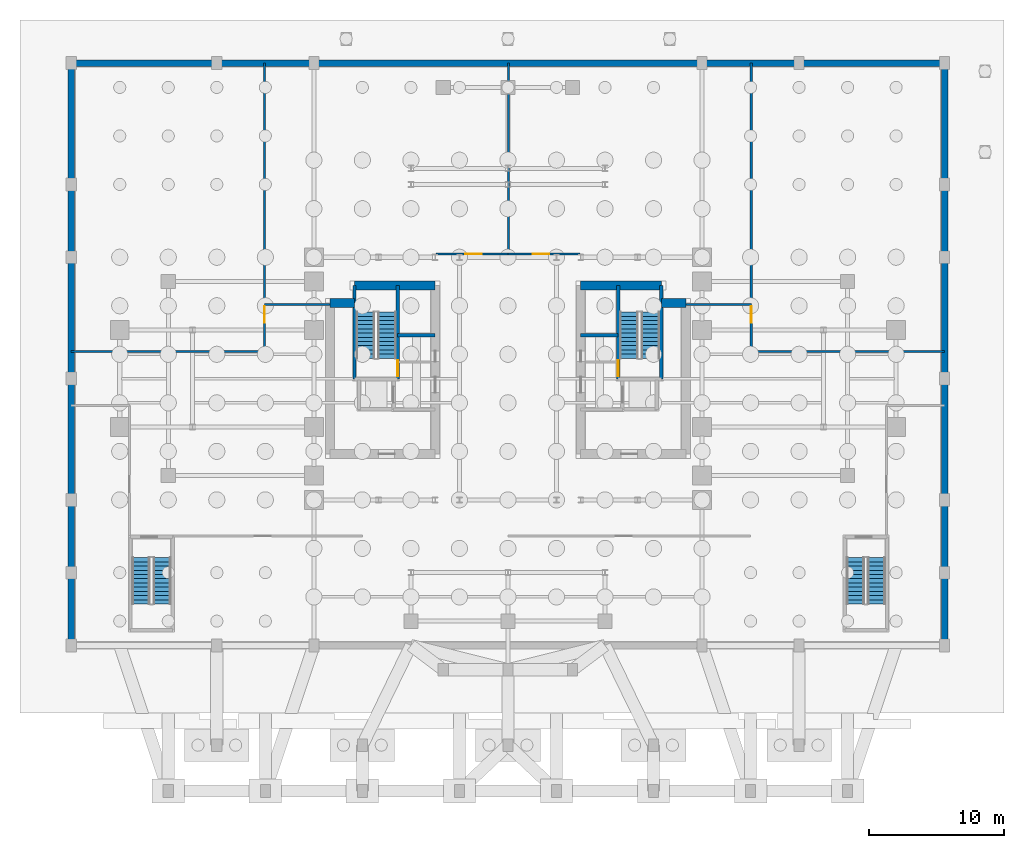
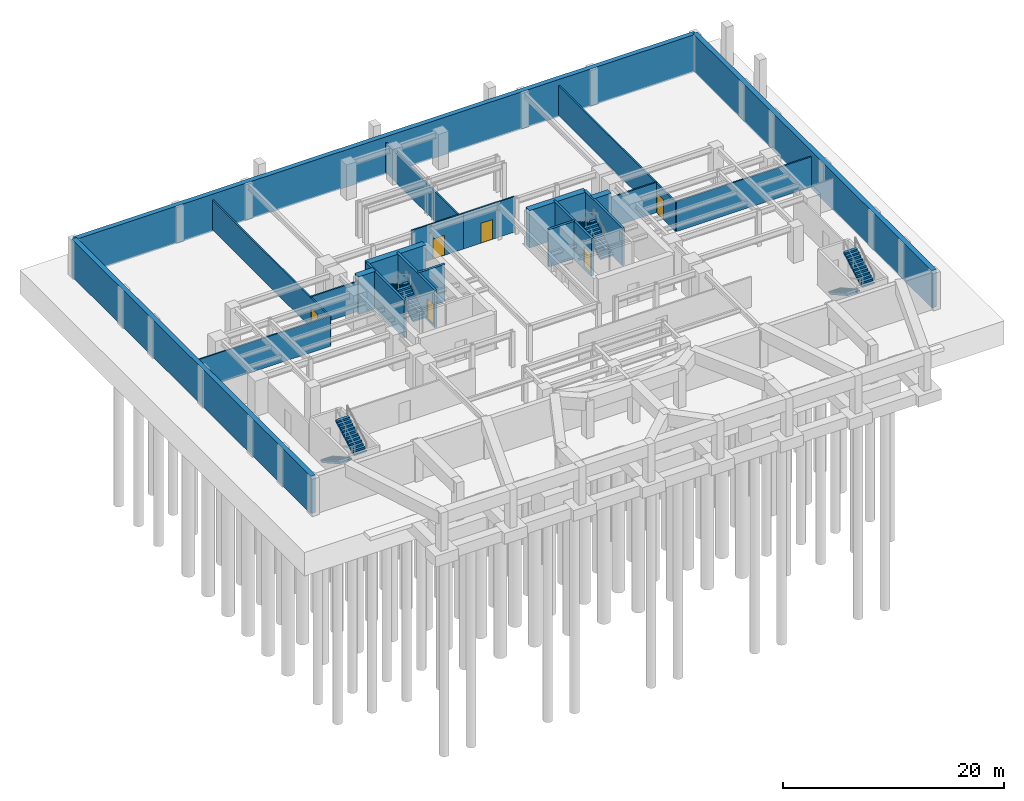
# One storey, part 9 of 13: 22 walls, 8 stair flights, 6 doors, 6 openings, 4 elements without a shape of their own.
"""IFC4 building model written with IfcOpenShell, lengths in metres."""

import ifcopenshell
import ifcopenshell.guid

model = None  # the IFC model being written
_history = None  # IfcOwnerHistory: only IFC2X3 demands one
_inside = {}  # id of a spatial element -> (the spatial element, [elements in it])
_under = {}  # id of a project, library or spatial element -> (it, [spatial elements below it])
_declared = {}  # id of a project -> (the project, [libraries it declares])
_typed = {}  # id of a type object -> (the type object, [elements of that type])
_made_of = {}  # id of a material, layer set ... -> (it, [elements and type objects made of it])


def new_model(schema):
    """Start an empty IFC model of exactly this schema.

    Asked for "IFC4X3", IfcOpenShell would pick the latest addendum, in which some entities
    have other attributes; the version numbers below select the first issue.
    IFC2X3 requires an IfcOwnerHistory on every rooted entity: one is made here for all.
    """
    global model, _history
    if schema == "IFC4X3":
        model = ifcopenshell.file(schema_version=(4, 3, 0, 0))
    else:
        model = ifcopenshell.file(schema=schema)
    _inside.clear()
    _under.clear()
    _declared.clear()
    _typed.clear()
    _made_of.clear()
    _history = None
    if model.schema == "IFC2X3":
        org = make("IfcOrganization", Name="unknown")
        user = make(
            "IfcPersonAndOrganization",
            ThePerson=make("IfcPerson", FamilyName="unknown"),
            TheOrganization=org,
        )
        app = make(
            "IfcApplication",
            ApplicationDeveloper=org,
            Version="unknown",
            ApplicationFullName="unknown",
            ApplicationIdentifier="unknown",
        )
        _history = make(
            "IfcOwnerHistory",
            OwningUser=user,
            OwningApplication=app,
            ChangeAction="ADDED",
            CreationDate=0,
        )
    return model


def make(cls, **values):
    """One entity of the class cls with the attributes given. An attribute that is None is left unset."""
    return model.create_entity(
        cls, **{name: value for name, value in values.items() if value is not None}
    )


def rooted(cls, **values):
    """An entity with a GlobalId (a new one), such as an element, a storey or a relation."""
    return make(cls, GlobalId=ifcopenshell.guid.new(), OwnerHistory=_history, **values)


def si_unit(unit_type, name, prefix=None):
    """IfcSIUnit, for example si_unit("LENGTHUNIT", "METRE", prefix="MILLI")."""
    return make("IfcSIUnit", UnitType=unit_type, Prefix=prefix, Name=name)


def assignment(units):
    """IfcUnitAssignment: the units of a project."""
    return None if units is None else make("IfcUnitAssignment", Units=units)


def point(xyz):
    """IfcCartesianPoint."""
    return None if xyz is None else make("IfcCartesianPoint", Coordinates=xyz)


def direction(xyz):
    """IfcDirection."""
    return None if xyz is None else make("IfcDirection", DirectionRatios=xyz)


def frame(location, z_axis=None, x_axis=None):
    """IfcAxis2Placement3D, a coordinate frame: its origin and axes. An axis left out is left unset."""
    return make(
        "IfcAxis2Placement3D",
        Location=point(location),
        Axis=direction(z_axis),
        RefDirection=direction(x_axis),
    )


def frame_2d(location, x_axis=None):
    """IfcAxis2Placement2D, a coordinate frame in the plane: its origin and x axis."""
    return make(
        "IfcAxis2Placement2D", Location=point(location), RefDirection=direction(x_axis)
    )


def origin():
    """The frame at (0, 0, 0) with its axes left unset."""
    return frame((0.0, 0.0, 0.0))


def place(relative_to, where):
    """IfcLocalPlacement: puts the frame where relative to a parent placement (None: the world)."""
    return make(
        "IfcLocalPlacement", PlacementRelTo=relative_to, RelativePlacement=where
    )


def context(
    kind, dimensions, precision=None, world=None, true_north=None, identifier=None
):
    """IfcGeometricRepresentationContext, for example the 3D "Model" context."""
    return make(
        "IfcGeometricRepresentationContext",
        ContextIdentifier=identifier,
        ContextType=kind,
        CoordinateSpaceDimension=dimensions,
        Precision=precision,
        WorldCoordinateSystem=world,
        TrueNorth=true_north,
    )


def subcontext(parent, identifier, kind, view, scale=None):
    """IfcGeometricRepresentationSubContext, for example "Body" below "Model"."""
    return make(
        "IfcGeometricRepresentationSubContext",
        ContextIdentifier=identifier,
        ContextType=kind,
        ParentContext=parent,
        TargetScale=scale,
        TargetView=view,
    )


def project(units=None, contexts=None):
    """IfcProject with its units and contexts."""
    return rooted(
        "IfcProject",
        Name="project",
        RepresentationContexts=contexts,
        UnitsInContext=assignment(units),
    )


def spatial(cls, under=None, at=None, **own):
    """A site, building, storey or space (cls), placed at a placement, below another one or the project."""
    s = rooted(cls, ObjectPlacement=at, **own)
    if under is not None:
        _under.setdefault(under.id(), (under, []))[1].append(s)
    return s


def polyline(points):
    """IfcPolyline through the points."""
    return make("IfcPolyline", Points=[point(p) for p in points])


def profile(cls, at=None, kind="AREA", **sizes):
    """A parametric profile (cls). Its sizes go by their IFC names, for example OverallWidth=200.0."""
    return make(cls, ProfileType=kind, Position=at, **sizes)


def rectangle(**sizes):
    """IfcRectangleProfileDef."""
    return profile("IfcRectangleProfileDef", **sizes)


def outline(outer, holes=None, kind="AREA"):
    """IfcArbitraryClosedProfileDef: a profile drawn as a closed curve; with holes, ...WithVoids."""
    if holes is None:
        return make("IfcArbitraryClosedProfileDef", ProfileType=kind, OuterCurve=outer)
    return make(
        "IfcArbitraryProfileDefWithVoids",
        ProfileType=kind,
        OuterCurve=outer,
        InnerCurves=holes,
    )


def extrude(swept, where, along, depth):
    """IfcExtrudedAreaSolid: the profile swept, set in the frame where, extruded along a direction by depth."""
    return make(
        "IfcExtrudedAreaSolid",
        SweptArea=swept,
        Position=where,
        ExtrudedDirection=direction(along),
        Depth=depth,
    )


def shape(context_of_items, identifier, shape_type, items):
    """IfcShapeRepresentation: the items that make up one representation, for example the "Body"."""
    return make(
        "IfcShapeRepresentation",
        ContextOfItems=context_of_items,
        RepresentationIdentifier=identifier,
        RepresentationType=shape_type,
        Items=items,
    )


def source(mapping_origin, context_of_items, identifier, shape_type, items):
    """IfcRepresentationMap: a shape defined once, which mapped items show again and again."""
    return make(
        "IfcRepresentationMap",
        MappingOrigin=mapping_origin,
        MappedRepresentation=shape(context_of_items, identifier, shape_type, items),
    )


def transform(
    local_origin,
    x_axis=None,
    y_axis=None,
    z_axis=None,
    scale=None,
    scale2=None,
    scale3=None,
    uniform=True,
):
    """IfcCartesianTransformationOperator3D, or its non-uniform kind. x_axis, y_axis, z_axis: its Axis1, 2, 3."""
    if uniform:
        return make(
            "IfcCartesianTransformationOperator3D",
            Axis1=direction(x_axis),
            Axis2=direction(y_axis),
            LocalOrigin=point(local_origin),
            Scale=scale,
            Axis3=direction(z_axis),
        )
    return make(
        "IfcCartesianTransformationOperator3DnonUniform",
        Axis1=direction(x_axis),
        Axis2=direction(y_axis),
        LocalOrigin=point(local_origin),
        Scale=scale,
        Axis3=direction(z_axis),
        Scale2=scale2,
        Scale3=scale3,
    )


def mapped(mapping_source, mapping_target):
    """IfcMappedItem: shows the shape of a source again, moved by a transform."""
    return make(
        "IfcMappedItem", MappingSource=mapping_source, MappingTarget=mapping_target
    )


def material(Name=None, Category=None):
    """IfcMaterial."""
    return make("IfcMaterial", Name=Name, Category=Category)


def layer(
    of_material, thickness, ventilated=None, Name=None, Category=None, Priority=None
):
    """IfcMaterialLayer: one layer of a wall or slab, of a material (None: an air gap)."""
    return make(
        "IfcMaterialLayer",
        Material=of_material,
        LayerThickness=thickness,
        IsVentilated=ventilated,
        Name=Name,
        Category=Category,
        Priority=Priority,
    )


def layer_set(layers, Name=None):
    """IfcMaterialLayerSet."""
    return make("IfcMaterialLayerSet", MaterialLayers=layers, LayerSetName=Name)


def made_of(thing, what):
    """Note that an element or type object is made of a material, layer set ...; save() writes the relation."""
    if what is not None:
        _made_of.setdefault(what.id(), (what, []))[1].append(thing)
    return thing


def type_object(cls, material=None, **own):
    """A type object (cls), such as IfcWallType, which elements share."""
    return made_of(rooted(cls, **own), material)


def element(
    cls,
    number,
    at=None,
    inside=None,
    cuts=None,
    type_object=None,
    material=None,
    context=None,
    identifier="Body",
    shape_type=None,
    held_by="IfcProductDefinitionShape",
    body=None,
    shapes=None,
    **own,
):
    """One element of the class cls, such as IfcWall. Its Tag is "e" and its number.

    at: its placement. inside: the storey or other place that contains it. cuts: it is an
    opening in that element (IfcRelVoidsElement). A single representation is given by context,
    identifier, shape_type and body (its items); several are given by shapes. held_by: the class
    of the entity that holds the representations. save() writes the other relations.
    """
    e = rooted(cls, Tag="e%d" % number, ObjectPlacement=at, **own)
    if body is not None:
        shapes = [shape(context, identifier, shape_type, body)]
    if shapes is not None:
        e.Representation = make(held_by, Representations=shapes)
    if inside is not None:
        _inside.setdefault(inside.id(), (inside, []))[1].append(e)
    if cuts is not None:
        rooted(
            "IfcRelVoidsElement", RelatingBuildingElement=cuts, RelatedOpeningElement=e
        )
    if type_object is not None:
        _typed.setdefault(type_object.id(), (type_object, []))[1].append(e)
    return made_of(e, material)


def fill(opening, filler):
    """IfcRelFillsElement: the door or window that sits in an opening."""
    return rooted(
        "IfcRelFillsElement",
        RelatingOpeningElement=opening,
        RelatedBuildingElement=filler,
    )


def aggregate(whole, parts):
    """IfcRelAggregates: a whole, such as a stair, and the parts it consists of."""
    return rooted("IfcRelAggregates", RelatingObject=whole, RelatedObjects=parts)


def save(model, path):
    """Write the relations noted so far, then the file.

    IfcRelAggregates (storeys below a building ...), IfcRelContainedInSpatialStructure (elements
    in a storey), IfcRelDefinesByType, IfcRelAssociatesMaterial and IfcRelDeclares: one each for
    every whole, place, type object, material and project.
    """
    for whole, parts in _under.values():
        aggregate(whole, parts)
    for where, things in _inside.values():
        rooted(
            "IfcRelContainedInSpatialStructure",
            RelatedElements=things,
            RelatingStructure=where,
        )
    for kind, things in _typed.values():
        rooted("IfcRelDefinesByType", RelatedObjects=things, RelatingType=kind)
    for what, things in _made_of.values():
        rooted("IfcRelAssociatesMaterial", RelatedObjects=things, RelatingMaterial=what)
    for by, libraries in _declared.values():
        rooted("IfcRelDeclares", RelatingContext=by, RelatedDefinitions=libraries)
    model.write(path)


model = new_model("IFC4")

# Units and contexts
model_context = context("Model", 3, precision=1e-05, world=origin(), true_north=direction((0.0, 1.0)))
body_context = subcontext(model_context, "Body", "Model", "MODEL_VIEW")
ifc_project = project(units=[si_unit("LENGTHUNIT", "METRE"), si_unit("AREAUNIT", "SQUARE_METRE"), si_unit("VOLUMEUNIT", "CUBIC_METRE"), si_unit("PLANEANGLEUNIT", "RADIAN"), si_unit("MASSUNIT", "GRAM", prefix="KILO")], contexts=[model_context])

# Site, building, storey
site_placement = place(None, origin())
site = spatial("IfcSite", under=ifc_project, at=site_placement, CompositionType="ELEMENT")
building_placement = place(site_placement, origin())
building = spatial("IfcBuilding", under=site, at=building_placement, Name="Keilestroom Media Tower", CompositionType="ELEMENT")
storey_placement = place(building_placement, frame((0.0, 0.0, -8.39990234375)))
storey = spatial("IfcBuildingStorey", under=building, at=storey_placement, Name="B2", CompositionType="ELEMENT", Elevation=-8.39990234375)

# Walls
ifc_material_1 = material(Name="Concrete C50/60", Category="concrete")
ifc_layer_1 = layer(ifc_material_1, 0.5)
ifc_layer_set_1 = layer_set([ifc_layer_1], Name="Concrete C50/60")
wall_type_1 = type_object("IfcWallType", Name="Basement-Retaining-Wall-500", PredefinedType="USERDEFINED", material=ifc_layer_set_1)
wall_1_placement = place(storey_placement, frame((32.39990234375, -19.800048828125, -0.2001953125), z_axis=(0.0, 0.0, 1.0), x_axis=(0.0, 1.0, 0.0)))
element("IfcWall", 1, at=wall_1_placement, inside=storey, type_object=wall_type_1, Name="B2 Perimeter Retaining Wall E", ObjectType="RETAININGWALL", PredefinedType="USERDEFINED", context=body_context, shape_type="SweptSolid", body=[
    extrude(rectangle(XDim=43.199951171875, YDim=0.5, at=frame_2d((21.60009765625, 0.0))), origin(), (0.0, 0.0, 1.0), 4.1201171875),
])
wall_2_placement = place(storey_placement, frame((32.39990234375, 23.39990234375, -0.2001953125), z_axis=(0.0, 0.0, 1.0), x_axis=(-1.0, 0.0, 0.0)))
element("IfcWall", 2, at=wall_2_placement, inside=storey, type_object=wall_type_1, Name="B2 Perimeter Retaining Wall N", ObjectType="RETAININGWALL", PredefinedType="USERDEFINED", context=body_context, shape_type="SweptSolid", body=[
    extrude(rectangle(XDim=64.7998046875, YDim=0.5, at=frame_2d((32.39990234375, 0.0))), origin(), (0.0, 0.0, 1.0), 4.1201171875),
])
wall_3_placement = place(storey_placement, frame((-32.39990234375, 23.39990234375, -0.2001953125), z_axis=(0.0, 0.0, 1.0), x_axis=(0.0, -1.0, 0.0)))
element("IfcWall", 3, at=wall_3_placement, inside=storey, type_object=wall_type_1, Name="B2 Perimeter Retaining Wall W", ObjectType="RETAININGWALL", PredefinedType="USERDEFINED", context=body_context, shape_type="SweptSolid", body=[
    extrude(rectangle(XDim=43.199951171875, YDim=0.5, at=frame_2d((21.60009765625, 0.0))), origin(), (0.0, 0.0, 1.0), 4.1201171875),
])
ifc_material_2 = material(Name="Gypsum Plasterboard & Steel Stud", Category="steel")
ifc_layer_2 = layer(ifc_material_2, 0.14990234375)
ifc_layer_set_2 = layer_set([ifc_layer_2], Name="Gypsum Plasterboard & Steel Stud")
wall_type_2 = type_object("IfcWallType", Name="Interior-Partition-Wall-150", PredefinedType="PARTITIONING", material=ifc_layer_set_2)
for number, where, z_axis, x_axis, name in (
    (4, (-18.050048828125, 5.5, 0.0), (0.0, 0.0, 1.0), (1.0, 0.0, 0.0), "B2 Interior Wall WP-B2-B2-WTRM-SW"),
    (5, (13.199951171875, 5.5, 0.0), (0.0, 0.0, 1.0), (1.0, 0.0, 0.0), "B2 Interior Wall WP-B2-B2-DATA-SE"),
):
    element("IfcWall", number, at=place(storey_placement, frame(where, z_axis=z_axis, x_axis=x_axis)), inside=storey, type_object=wall_type_2, Name=name, PredefinedType="PARTITIONING", context=body_context, shape_type="SweptSolid", body=[
        extrude(rectangle(XDim=4.85009765625, YDim=0.14990234375, at=frame_2d((2.425048828125, 0.0))), origin(), (0.0, 0.0, 1.0), 3.329833984375),
    ])
wall_4_placement = place(storey_placement, frame((0.0400390625, 9.25, 0.0), z_axis=(0.0, 0.0, 1.0), x_axis=(0.0, 1.0, 0.0)))
element("IfcWall", 6, at=wall_4_placement, inside=storey, type_object=wall_type_2, Name="B2 Interior Wall WP-B2-B2-N-MID", PredefinedType="PARTITIONING", context=body_context, shape_type="SweptSolid", body=[
    extrude(rectangle(XDim=14.14990234375, YDim=0.14990234375, at=frame_2d((7.074951171875, 0.0))), origin(), (0.0, 0.0, 1.0), 3.27001953125),
])
for number, where, z_axis, x_axis, name in (
    (7, (-32.39990234375, 2.0, 0.0), (0.0, 0.0, 1.0), (1.0, 0.0, 0.0), "B2 Interior Wall WP-B2-B2-UPSB-S"),
    (8, (18.050048828125, 2.0, 0.0), (0.0, 0.0, 1.0), (1.0, 0.0, 0.0), "B2 Interior Wall WP-B2-B2-GENR-S"),
):
    element("IfcWall", number, at=place(storey_placement, frame(where, z_axis=z_axis, x_axis=x_axis)), inside=storey, type_object=wall_type_2, Name=name, PredefinedType="PARTITIONING", context=body_context, shape_type="SweptSolid", body=[
        extrude(rectangle(XDim=14.349853515625, YDim=0.14990234375, at=frame_2d((7.1748046875, 0.0))), origin(), (0.0, 0.0, 1.0), 3.329833984375),
    ])

# Wall, opening, door
wall_5_placement = place(storey_placement, frame((18.050048828125, 2.0, 0.0), z_axis=(0.0, 0.0, 1.0), x_axis=(0.0, 1.0, 0.0)))
wall_5 = element("IfcWall", 9, at=wall_5_placement, inside=storey, type_object=wall_type_2, Name="B2 Interior Wall WP-B2-B2-GENR", PredefinedType="PARTITIONING", context=body_context, shape_type="SweptSolid", body=[
    extrude(rectangle(XDim=21.39990234375, YDim=0.14990234375, at=frame_2d((10.699951171875, 0.0))), origin(), (0.0, 0.0, 1.0), 3.27001953125),
])
opening_1_placement = place(wall_5_placement, frame((2.14990234375, 0.0, 0.0)))
opening_1 = element("IfcOpeningElement", 10, at=opening_1_placement, cuts=wall_5, Name="Opening DI-02", PredefinedType="OPENING", context=body_context, shape_type="SweptSolid", body=[
    extrude(rectangle(XDim=1.199951171875, YDim=2.199951171875, at=frame_2d((0.60009765625, 1.10009765625))), frame((0.0, 0.0849609375, 0.0), z_axis=(0.0, -1.0, 0.0), x_axis=(1.0, 0.0, 0.0)), (0.0, 0.0, 1.0), 0.169921875),
])
ifc_material_3 = material(Name="Powder-Coated Steel Fire Leaf", Category="steel")
door_type_1 = type_object("IfcDoorType", Name="Interior-Compartment-Fire-Door-DI-02", OperationType="NOTDEFINED", PredefinedType="DOOR", material=ifc_material_3)
shared_shape = source(origin(), body_context, "Body", "SweptSolid", [
    extrude(rectangle(XDim=1.199951171875, YDim=2.199951171875, at=frame_2d((0.60009765625, 1.10009765625))), frame((0.0, 0.02490234375, 0.0), z_axis=(0.0, -1.0, 0.0), x_axis=(1.0, 0.0, 0.0)), (0.0, 0.0, 1.0), 0.050048828125),
])
door_1_placement = place(opening_1_placement, origin())
door_1 = element("IfcDoor", 11, at=door_1_placement, inside=storey, type_object=door_type_1, Name="B2 Interior Door DI-B2-B2-GENR", OperationType="SINGLE_SWING_LEFT", OverallHeight=2.199951171875, OverallWidth=1.199951171875, PredefinedType="DOOR", context=body_context, shape_type="MappedRepresentation", body=[
    mapped(shared_shape, transform((0.0, 0.0, 0.0), x_axis=(1.0, 0.0, 0.0), y_axis=(0.0, 1.0, 0.0), z_axis=(0.0, 0.0, 1.0), scale=1.0)),
])
fill(opening_1, door_1)

wall_6_placement = place(storey_placement, frame((-18.050048828125, 2.0, 0.0), z_axis=(0.0, 0.0, 1.0), x_axis=(0.0, 1.0, 0.0)))
wall_6 = element("IfcWall", 12, at=wall_6_placement, inside=storey, type_object=wall_type_2, Name="B2 Interior Wall WP-B2-B2-UPSB", PredefinedType="PARTITIONING", context=body_context, shape_type="SweptSolid", body=[
    extrude(rectangle(XDim=21.39990234375, YDim=0.14990234375, at=frame_2d((10.699951171875, 0.0))), origin(), (0.0, 0.0, 1.0), 3.27001953125),
])
opening_2_placement = place(wall_6_placement, frame((2.14990234375, 0.0, 0.0)))
opening_2 = element("IfcOpeningElement", 13, at=opening_2_placement, cuts=wall_6, Name="Opening DI-02", PredefinedType="OPENING", context=body_context, shape_type="SweptSolid", body=[
    extrude(rectangle(XDim=1.199951171875, YDim=2.199951171875, at=frame_2d((0.60009765625, 1.10009765625))), frame((0.0, 0.0849609375, 0.0), z_axis=(0.0, -1.0, 0.0), x_axis=(1.0, 0.0, 0.0)), (0.0, 0.0, 1.0), 0.169921875),
])
door_2_placement = place(opening_2_placement, origin())
door_2 = element("IfcDoor", 14, at=door_2_placement, inside=storey, type_object=door_type_1, Name="B2 Interior Door DI-B2-B2-UPSB", OperationType="SINGLE_SWING_RIGHT", OverallHeight=2.199951171875, OverallWidth=1.199951171875, PredefinedType="DOOR", context=body_context, shape_type="MappedRepresentation", body=[
    mapped(shared_shape, transform((0.0, 0.0, 0.0), x_axis=(1.0, 0.0, 0.0), y_axis=(0.0, 1.0, 0.0), z_axis=(0.0, 0.0, 1.0), scale=1.0)),
])
fill(opening_2, door_2)

wall_7_placement = place(storey_placement, frame((-5.35009765625, 9.25, 0.0), z_axis=(0.0, 0.0, 1.0), x_axis=(1.0, 0.0, 0.0)))
wall_7 = element("IfcWall", 15, at=wall_7_placement, inside=storey, type_object=wall_type_2, Name="B2 Interior Wall WP-B2-B2-WTRM", PredefinedType="PARTITIONING", context=body_context, shape_type="SweptSolid", body=[
    extrude(rectangle(XDim=5.35009765625, YDim=0.14990234375, at=frame_2d((2.675048828125, 0.0))), origin(), (0.0, 0.0, 1.0), 3.919921875),
])
opening_3_placement = place(wall_7_placement, frame((2.199951171875, 0.0, 0.0)))
opening_3 = element("IfcOpeningElement", 16, at=opening_3_placement, cuts=wall_7, Name="Opening DI-02", PredefinedType="OPENING", context=body_context, shape_type="SweptSolid", body=[
    extrude(rectangle(XDim=1.199951171875, YDim=2.199951171875, at=frame_2d((0.60009765625, 1.10009765625))), frame((0.0, 0.0849609375, 0.0), z_axis=(0.0, -1.0, 0.0), x_axis=(1.0, 0.0, 0.0)), (0.0, 0.0, 1.0), 0.169921875),
])
door_3_placement = place(opening_3_placement, origin())
door_3 = element("IfcDoor", 17, at=door_3_placement, inside=storey, type_object=door_type_1, Name="B2 Interior Door DI-B2-B2-WTRM", OperationType="SINGLE_SWING_LEFT", OverallHeight=2.199951171875, OverallWidth=1.199951171875, PredefinedType="DOOR", context=body_context, shape_type="MappedRepresentation", body=[
    mapped(shared_shape, transform((0.0, 0.0, 0.0), x_axis=(1.0, 0.0, 0.0), y_axis=(0.0, 1.0, 0.0), z_axis=(0.0, 0.0, 1.0), scale=1.0)),
])
fill(opening_3, door_3)

wall_8_placement = place(storey_placement, frame((0.0, 9.25, 0.0), z_axis=(0.0, 0.0, 1.0), x_axis=(1.0, 0.0, 0.0)))
wall_8 = element("IfcWall", 18, at=wall_8_placement, inside=storey, type_object=wall_type_2, Name="B2 Interior Wall WP-B2-B2-DATA", PredefinedType="PARTITIONING", context=body_context, shape_type="SweptSolid", body=[
    extrude(rectangle(XDim=5.35009765625, YDim=0.14990234375, at=frame_2d((2.675048828125, 0.0))), origin(), (0.0, 0.0, 1.0), 3.919921875),
])
opening_4_placement = place(wall_8_placement, frame((1.85009765625, 0.0, 0.0)))
opening_4 = element("IfcOpeningElement", 19, at=opening_4_placement, cuts=wall_8, Name="Opening DI-02", PredefinedType="OPENING", context=body_context, shape_type="SweptSolid", body=[
    extrude(rectangle(XDim=1.199951171875, YDim=2.199951171875, at=frame_2d((0.60009765625, 1.10009765625))), frame((0.0, 0.0849609375, 0.0), z_axis=(0.0, -1.0, 0.0), x_axis=(1.0, 0.0, 0.0)), (0.0, 0.0, 1.0), 0.169921875),
])
door_4_placement = place(opening_4_placement, origin())
door_4 = element("IfcDoor", 20, at=door_4_placement, inside=storey, type_object=door_type_1, Name="B2 Interior Door DI-B2-B2-DATA", OperationType="SINGLE_SWING_RIGHT", OverallHeight=2.199951171875, OverallWidth=1.199951171875, PredefinedType="DOOR", context=body_context, shape_type="MappedRepresentation", body=[
    mapped(shared_shape, transform((0.0, 0.0, 0.0), x_axis=(1.0, 0.0, 0.0), y_axis=(0.0, 1.0, 0.0), z_axis=(0.0, 0.0, 1.0), scale=1.0)),
])
fill(opening_4, door_4)

# Walls
ifc_material_4 = material(Name="Concrete C70/85", Category="concrete")
ifc_layer_3 = layer(ifc_material_4, 0.64990234375)
ifc_layer_set_3 = layer_set([ifc_layer_3], Name="Concrete C70/85")
wall_type_3 = type_object("IfcWallType", Name="Reinforced-Concrete-Core-Shear-Wall-650", PredefinedType="SHEAR", material=ifc_layer_set_3)
wall_9_placement = place(storey_placement, frame((-11.381103515625, 6.89990234375, -0.2001953125), z_axis=(0.0, 0.0, 1.0), x_axis=(1.0, 0.0, 0.0)))
element("IfcWall", 21, at=wall_9_placement, inside=storey, type_object=wall_type_3, Name="B2 Core Shear Wall WL-B2-CORE-W-N", PredefinedType="SHEAR", context=body_context, shape_type="SweptSolid", body=[
    extrude(rectangle(XDim=5.981201171875, YDim=0.64990234375, at=frame_2d((2.99072265625, 0.0))), origin(), (0.0, 0.0, 1.0), 4.1201171875),
])
wall_10_placement = place(storey_placement, frame((-13.199951171875, 5.60009765625, -0.2001953125), z_axis=(0.0, 0.0, 1.0), x_axis=(1.0, 0.0, 0.0)))
element("IfcWall", 22, at=wall_10_placement, inside=storey, type_object=wall_type_3, Name="B2 Core Shear Wall WL-B2-CNW-N", PredefinedType="SHEAR", context=body_context, shape_type="SweptSolid", body=[
    extrude(rectangle(XDim=1.81884765625, YDim=0.64990234375, at=frame_2d((0.909423828125, 0.0))), origin(), (0.0, 0.0, 1.0), 4.1201171875),
])
wall_11_placement = place(storey_placement, frame((5.39990234375, 6.89990234375, -0.2001953125), z_axis=(0.0, 0.0, 1.0), x_axis=(1.0, 0.0, 0.0)))
element("IfcWall", 23, at=wall_11_placement, inside=storey, type_object=wall_type_3, Name="B2 Core Shear Wall WL-B2-CORE-E-N", PredefinedType="SHEAR", context=body_context, shape_type="SweptSolid", body=[
    extrude(rectangle(XDim=5.981201171875, YDim=0.64990234375, at=frame_2d((2.99072265625, 0.0))), origin(), (0.0, 0.0, 1.0), 4.1201171875),
])
wall_12_placement = place(storey_placement, frame((11.381103515625, 5.60009765625, -0.2001953125), z_axis=(0.0, 0.0, 1.0), x_axis=(1.0, 0.0, 0.0)))
element("IfcWall", 24, at=wall_12_placement, inside=storey, type_object=wall_type_3, Name="B2 Core Shear Wall WL-B2-CNE-N", PredefinedType="SHEAR", context=body_context, shape_type="SweptSolid", body=[
    extrude(rectangle(XDim=1.81884765625, YDim=0.64990234375, at=frame_2d((0.909423828125, 0.0))), origin(), (0.0, 0.0, 1.0), 4.1201171875),
])
ifc_layer_4 = layer(ifc_material_1, 0.25)
ifc_layer_set_4 = layer_set([ifc_layer_4], Name="Concrete C50/60")
wall_type_4 = type_object("IfcWallType", Name="Reinforced-Concrete-Shaft-Wall-250", PredefinedType="SOLIDWALL", material=ifc_layer_set_4)
wall_13_placement = place(storey_placement, frame((-8.179931640625, 3.219970703125, -0.2001953125), z_axis=(0.0, 0.0, 1.0), x_axis=(1.0, 0.0, 0.0)))
element("IfcWall", 25, at=wall_13_placement, inside=storey, type_object=wall_type_4, Name="B2 Core Shear Wall WL-B2-CORE-W-FFN", PredefinedType="SOLIDWALL", context=body_context, shape_type="SweptSolid", body=[
    extrude(rectangle(XDim=2.780029296875, YDim=0.25, at=frame_2d((1.39013671875, 0.0))), origin(), (0.0, 0.0, 1.0), 4.1201171875),
])

# Wall, opening, door
wall_14_placement = place(storey_placement, frame((-8.178955078125, -0.041015625, -0.2001953125), z_axis=(0.0, 0.0, 1.0), x_axis=(0.0, 1.0, 0.0)))
wall_14 = element("IfcWall", 26, at=wall_14_placement, inside=storey, type_object=wall_type_4, Name="B2 Core Shear Wall WL-B2-STW-W-NEAR", PredefinedType="SOLIDWALL", context=body_context, shape_type="SweptSolid", body=[
    extrude(rectangle(XDim=6.94091796875, YDim=0.25, at=frame_2d((3.470458984375, 0.0))), origin(), (0.0, 0.0, 1.0), 4.1201171875),
])
opening_5_placement = place(wall_14_placement, frame((0.199951171875, 0.0, 0.199951171875)))
opening_5 = element("IfcOpeningElement", 27, at=opening_5_placement, cuts=wall_14, Name="Opening DI-01S", PredefinedType="OPENING", context=body_context, shape_type="SweptSolid", body=[
    extrude(rectangle(XDim=1.199951171875, YDim=2.199951171875, at=frame_2d((0.60009765625, 1.10009765625))), frame((0.0, 0.135009765625, 0.0), z_axis=(0.0, -1.0, 0.0), x_axis=(1.0, 0.0, 0.0)), (0.0, 0.0, 1.0), 0.27001953125),
])
door_type_2 = type_object("IfcDoorType", Name="Interior-Stair-And-Core-Fire-Door-DI-01", OperationType="NOTDEFINED", PredefinedType="DOOR", material=ifc_material_3)
door_5_placement = place(opening_5_placement, origin())
door_5 = element("IfcDoor", 28, at=door_5_placement, inside=storey, type_object=door_type_2, Name="B2 Escape Stair ST-1 Fire Door", OperationType="SINGLE_SWING_LEFT", OverallHeight=2.199951171875, OverallWidth=1.199951171875, PredefinedType="DOOR", context=body_context, shape_type="MappedRepresentation", body=[
    mapped(shared_shape, transform((0.0, 0.0, 0.0), x_axis=(1.0, 0.0, 0.0), y_axis=(0.0, 1.0, 0.0), z_axis=(0.0, 0.0, 1.0), scale=1.0)),
])
fill(opening_5, door_5)

# Walls
wall_15_placement = place(storey_placement, frame((-11.381103515625, -0.041015625, -0.2001953125), z_axis=(0.0, 0.0, 1.0), x_axis=(0.0, 1.0, 0.0)))
element("IfcWall", 29, at=wall_15_placement, inside=storey, type_object=wall_type_4, Name="B2 Core Shear Wall WL-B2-STW-W-FAR", PredefinedType="SOLIDWALL", context=body_context, shape_type="SweptSolid", body=[
    extrude(rectangle(XDim=6.94091796875, YDim=0.25, at=frame_2d((3.470458984375, 0.0))), origin(), (0.0, 0.0, 1.0), 4.1201171875),
])
wall_16_placement = place(storey_placement, frame((5.39990234375, 3.219970703125, -0.2001953125), z_axis=(0.0, 0.0, 1.0), x_axis=(1.0, 0.0, 0.0)))
element("IfcWall", 30, at=wall_16_placement, inside=storey, type_object=wall_type_4, Name="B2 Core Shear Wall WL-B2-CORE-E-FFN", PredefinedType="SOLIDWALL", context=body_context, shape_type="SweptSolid", body=[
    extrude(rectangle(XDim=2.780029296875, YDim=0.25, at=frame_2d((1.39013671875, 0.0))), origin(), (0.0, 0.0, 1.0), 4.1201171875),
])

# Wall, opening, door
wall_17_placement = place(storey_placement, frame((8.178955078125, -0.041015625, -0.2001953125), z_axis=(0.0, 0.0, 1.0), x_axis=(0.0, 1.0, 0.0)))
wall_17 = element("IfcWall", 31, at=wall_17_placement, inside=storey, type_object=wall_type_4, Name="B2 Core Shear Wall WL-B2-STW-E-NEAR", PredefinedType="SOLIDWALL", context=body_context, shape_type="SweptSolid", body=[
    extrude(rectangle(XDim=6.94091796875, YDim=0.25, at=frame_2d((3.470458984375, 0.0))), origin(), (0.0, 0.0, 1.0), 4.1201171875),
])
opening_6_placement = place(wall_17_placement, frame((0.199951171875, 0.0, 0.199951171875)))
opening_6 = element("IfcOpeningElement", 32, at=opening_6_placement, cuts=wall_17, Name="Opening DI-01S", PredefinedType="OPENING", context=body_context, shape_type="SweptSolid", body=[
    extrude(rectangle(XDim=1.199951171875, YDim=2.199951171875, at=frame_2d((0.60009765625, 1.10009765625))), frame((0.0, 0.135009765625, 0.0), z_axis=(0.0, -1.0, 0.0), x_axis=(1.0, 0.0, 0.0)), (0.0, 0.0, 1.0), 0.27001953125),
])
door_6_placement = place(opening_6_placement, origin())
door_6 = element("IfcDoor", 33, at=door_6_placement, inside=storey, type_object=door_type_2, Name="B2 Escape Stair ST-2 Fire Door", OperationType="SINGLE_SWING_RIGHT", OverallHeight=2.199951171875, OverallWidth=1.199951171875, PredefinedType="DOOR", context=body_context, shape_type="MappedRepresentation", body=[
    mapped(shared_shape, transform((0.0, 0.0, 0.0), x_axis=(1.0, 0.0, 0.0), y_axis=(0.0, 1.0, 0.0), z_axis=(0.0, 0.0, 1.0), scale=1.0)),
])
fill(opening_6, door_6)

# Wall
wall_18_placement = place(storey_placement, frame((11.381103515625, -0.041015625, -0.2001953125), z_axis=(0.0, 0.0, 1.0), x_axis=(0.0, 1.0, 0.0)))
element("IfcWall", 34, at=wall_18_placement, inside=storey, type_object=wall_type_4, Name="B2 Core Shear Wall WL-B2-STW-E-FAR", PredefinedType="SOLIDWALL", context=body_context, shape_type="SweptSolid", body=[
    extrude(rectangle(XDim=6.94091796875, YDim=0.25, at=frame_2d((3.470458984375, 0.0))), origin(), (0.0, 0.0, 1.0), 4.1201171875),
])

# Stair, stair flights
ifc_material_5 = material(Name="Concrete C45/55", Category="concrete")
stair_type_1 = type_object("IfcStairType", Name="Enclosed-Dog-Leg-Stair-ST-CORE", PredefinedType="HALF_TURN_STAIR", material=ifc_material_5)
stair_1_placement = place(storey_placement, origin())
stair_1 = element("IfcStair", 35, at=stair_1_placement, inside=storey, type_object=stair_type_1, Name="B2 West Core Escape Stair ST-1", PredefinedType="HALF_TURN_STAIR")
ifc_material_6 = material(Name="Precast concrete C40/50", Category="concrete")
stair_flight_type_1 = type_object("IfcStairFlightType", Name="Precast-Concrete-Stair-Flight-Core-160", PredefinedType="STRAIGHT", material=ifc_material_6)
stair_flight_1_placement = place(storey_placement, frame((-8.97998046875, 1.5, 0.0), z_axis=(0.0, 0.0, 1.0), x_axis=(0.0, 1.0, 0.0)))
stair_flight_1 = element("IfcStairFlight", 36, at=stair_flight_1_placement, type_object=stair_flight_type_1, Name="ST-1 flight 1", NumberOfRisers=12, NumberOfTreads=11, PredefinedType="STRAIGHT", RiserHeight=0.175, TreadLength=0.312, context=body_context, shape_type="SweptSolid", body=[
    extrude(outline(polyline([(0.0, 0.0), (0.0, 0.175048828125), (0.31201171875, 0.175048828125), (0.31201171875, 0.35009765625), (0.6240234375, 0.35009765625), (0.6240234375, 0.52490234375), (0.93603515625, 0.52490234375), (0.93603515625, 0.699951171875), (1.248046875, 0.699951171875), (1.248046875, 0.875), (1.56005859375, 0.875), (1.56005859375, 1.050048828125), (1.8720703125, 1.050048828125), (1.8720703125, 1.22509765625), (2.18408203125, 1.22509765625), (2.18408203125, 1.39990234375), (2.49609375, 1.39990234375), (2.49609375, 1.574951171875), (2.80810546875, 1.574951171875), (2.80810546875, 1.75), (3.1201171875, 1.75), (3.1201171875, 1.925048828125), (3.431884765625, 1.925048828125), (3.431884765625, 2.10009765625), (3.431884765625, 1.74169921875), (0.326904296875, 0.0), (0.0, 0.0)])), frame((0.0, 0.68017578125, 0.0), z_axis=(0.0, -1.0, 0.0), x_axis=(1.0, 0.0, 0.0)), (0.0, 0.0, 1.0), 1.360107421875),
])
stair_flight_2_placement = place(storey_placement, frame((-10.580078125, 4.931884765625, 2.099853515625), z_axis=(0.0, 0.0, 1.0), x_axis=(0.0, -1.0, 0.0)))
stair_flight_2 = element("IfcStairFlight", 37, at=stair_flight_2_placement, type_object=stair_flight_type_1, Name="ST-1 flight 2", NumberOfRisers=12, NumberOfTreads=11, PredefinedType="STRAIGHT", RiserHeight=0.175, TreadLength=0.312, context=body_context, shape_type="SweptSolid", body=[
    extrude(outline(polyline([(0.0, 0.0), (0.0, 0.175048828125), (0.31201171875, 0.175048828125), (0.31201171875, 0.35009765625), (0.6240234375, 0.35009765625), (0.6240234375, 0.52490234375), (0.93603515625, 0.52490234375), (0.93603515625, 0.699951171875), (1.248046875, 0.699951171875), (1.248046875, 0.875), (1.56005859375, 0.875), (1.56005859375, 1.050048828125), (1.8720703125, 1.050048828125), (1.8720703125, 1.22509765625), (2.18408203125, 1.22509765625), (2.18408203125, 1.39990234375), (2.49609375, 1.39990234375), (2.49609375, 1.574951171875), (2.80810546875, 1.574951171875), (2.80810546875, 1.75), (3.1201171875, 1.75), (3.1201171875, 1.925048828125), (3.431884765625, 1.925048828125), (3.431884765625, 2.10009765625), (3.431884765625, 1.74169921875), (0.326904296875, 0.0), (0.0, 0.0)])), frame((0.0, 0.68017578125, 0.0), z_axis=(0.0, -1.0, 0.0), x_axis=(1.0, 0.0, 0.0)), (0.0, 0.0, 1.0), 1.360107421875),
])
aggregate(stair_1, [stair_flight_1, stair_flight_2])

stair_2_placement = place(storey_placement, origin())
stair_2 = element("IfcStair", 38, at=stair_2_placement, inside=storey, type_object=stair_type_1, Name="B2 East Core Escape Stair ST-2", PredefinedType="HALF_TURN_STAIR")
stair_flight_3_placement = place(storey_placement, frame((10.580078125, 1.5, 0.0), z_axis=(0.0, 0.0, 1.0), x_axis=(0.0, 1.0, 0.0)))
stair_flight_3 = element("IfcStairFlight", 39, at=stair_flight_3_placement, type_object=stair_flight_type_1, Name="ST-2 flight 1", NumberOfRisers=12, NumberOfTreads=11, PredefinedType="STRAIGHT", RiserHeight=0.175, TreadLength=0.312, context=body_context, shape_type="SweptSolid", body=[
    extrude(outline(polyline([(0.0, 0.0), (0.0, 0.175048828125), (0.31201171875, 0.175048828125), (0.31201171875, 0.35009765625), (0.6240234375, 0.35009765625), (0.6240234375, 0.52490234375), (0.93603515625, 0.52490234375), (0.93603515625, 0.699951171875), (1.248046875, 0.699951171875), (1.248046875, 0.875), (1.56005859375, 0.875), (1.56005859375, 1.050048828125), (1.8720703125, 1.050048828125), (1.8720703125, 1.22509765625), (2.18408203125, 1.22509765625), (2.18408203125, 1.39990234375), (2.49609375, 1.39990234375), (2.49609375, 1.574951171875), (2.80810546875, 1.574951171875), (2.80810546875, 1.75), (3.1201171875, 1.75), (3.1201171875, 1.925048828125), (3.431884765625, 1.925048828125), (3.431884765625, 2.10009765625), (3.431884765625, 1.74169921875), (0.326904296875, 0.0), (0.0, 0.0)])), frame((0.0, 0.68017578125, 0.0), z_axis=(0.0, -1.0, 0.0), x_axis=(1.0, 0.0, 0.0)), (0.0, 0.0, 1.0), 1.360107421875),
])
stair_flight_4_placement = place(storey_placement, frame((8.97998046875, 4.931884765625, 2.099853515625), z_axis=(0.0, 0.0, 1.0), x_axis=(0.0, -1.0, 0.0)))
stair_flight_4 = element("IfcStairFlight", 40, at=stair_flight_4_placement, type_object=stair_flight_type_1, Name="ST-2 flight 2", NumberOfRisers=12, NumberOfTreads=11, PredefinedType="STRAIGHT", RiserHeight=0.175, TreadLength=0.312, context=body_context, shape_type="SweptSolid", body=[
    extrude(outline(polyline([(0.0, 0.0), (0.0, 0.175048828125), (0.31201171875, 0.175048828125), (0.31201171875, 0.35009765625), (0.6240234375, 0.35009765625), (0.6240234375, 0.52490234375), (0.93603515625, 0.52490234375), (0.93603515625, 0.699951171875), (1.248046875, 0.699951171875), (1.248046875, 0.875), (1.56005859375, 0.875), (1.56005859375, 1.050048828125), (1.8720703125, 1.050048828125), (1.8720703125, 1.22509765625), (2.18408203125, 1.22509765625), (2.18408203125, 1.39990234375), (2.49609375, 1.39990234375), (2.49609375, 1.574951171875), (2.80810546875, 1.574951171875), (2.80810546875, 1.75), (3.1201171875, 1.75), (3.1201171875, 1.925048828125), (3.431884765625, 1.925048828125), (3.431884765625, 2.10009765625), (3.431884765625, 1.74169921875), (0.326904296875, 0.0), (0.0, 0.0)])), frame((0.0, 0.68017578125, 0.0), z_axis=(0.0, -1.0, 0.0), x_axis=(1.0, 0.0, 0.0)), (0.0, 0.0, 1.0), 1.360107421875),
])
aggregate(stair_2, [stair_flight_3, stair_flight_4])

stair_type_2 = type_object("IfcStairType", Name="Enclosed-Dog-Leg-Stair-ST-POD", PredefinedType="HALF_TURN_STAIR", material=ifc_material_5)
stair_3_placement = place(storey_placement, origin())
stair_3 = element("IfcStair", 41, at=stair_3_placement, inside=storey, type_object=stair_type_2, Name="B2 Podium West Studio Escape Stair ST-3", PredefinedType="HALF_TURN_STAIR")
stair_flight_type_2 = type_object("IfcStairFlightType", Name="Precast-Concrete-Stair-Flight-Podium-160", PredefinedType="STRAIGHT", material=ifc_material_6)
stair_flight_5_placement = place(storey_placement, frame((-27.219970703125, -13.2900390625, 0.0), z_axis=(0.0, 0.0, 1.0), x_axis=(0.0, -1.0, 0.0)))
stair_flight_5 = element("IfcStairFlight", 42, at=stair_flight_5_placement, type_object=stair_flight_type_2, Name="ST-3 flight 1", NumberOfRisers=12, NumberOfTreads=11, PredefinedType="STRAIGHT", RiserHeight=0.175, TreadLength=0.312, context=body_context, shape_type="SweptSolid", body=[
    extrude(outline(polyline([(0.0, 0.0), (0.0, 0.175048828125), (0.31201171875, 0.175048828125), (0.31201171875, 0.35009765625), (0.6240234375, 0.35009765625), (0.6240234375, 0.52490234375), (0.93603515625, 0.52490234375), (0.93603515625, 0.699951171875), (1.248046875, 0.699951171875), (1.248046875, 0.875), (1.56005859375, 0.875), (1.56005859375, 1.050048828125), (1.8720703125, 1.050048828125), (1.8720703125, 1.22509765625), (2.18408203125, 1.22509765625), (2.18408203125, 1.39990234375), (2.49609375, 1.39990234375), (2.49609375, 1.574951171875), (2.80810546875, 1.574951171875), (2.80810546875, 1.75), (3.1201171875, 1.75), (3.1201171875, 1.925048828125), (3.431884765625, 1.925048828125), (3.431884765625, 2.10009765625), (3.431884765625, 1.74169921875), (0.326904296875, 0.0), (0.0, 0.0)])), frame((0.0, 0.66015625, 0.0), z_axis=(0.0, -1.0, 0.0), x_axis=(1.0, 0.0, 0.0)), (0.0, 0.0, 1.0), 1.320068359375),
])
stair_flight_6_placement = place(storey_placement, frame((-25.659912109375, -16.721923828125, 2.099853515625), z_axis=(0.0, 0.0, 1.0), x_axis=(0.0, 1.0, 0.0)))
stair_flight_6 = element("IfcStairFlight", 43, at=stair_flight_6_placement, type_object=stair_flight_type_2, Name="ST-3 flight 2", NumberOfRisers=12, NumberOfTreads=11, PredefinedType="STRAIGHT", RiserHeight=0.175, TreadLength=0.312, context=body_context, shape_type="SweptSolid", body=[
    extrude(outline(polyline([(0.0, 0.0), (0.0, 0.175048828125), (0.31201171875, 0.175048828125), (0.31201171875, 0.35009765625), (0.6240234375, 0.35009765625), (0.6240234375, 0.52490234375), (0.93603515625, 0.52490234375), (0.93603515625, 0.699951171875), (1.248046875, 0.699951171875), (1.248046875, 0.875), (1.56005859375, 0.875), (1.56005859375, 1.050048828125), (1.8720703125, 1.050048828125), (1.8720703125, 1.22509765625), (2.18408203125, 1.22509765625), (2.18408203125, 1.39990234375), (2.49609375, 1.39990234375), (2.49609375, 1.574951171875), (2.80810546875, 1.574951171875), (2.80810546875, 1.75), (3.1201171875, 1.75), (3.1201171875, 1.925048828125), (3.431884765625, 1.925048828125), (3.431884765625, 2.10009765625), (3.431884765625, 1.74169921875), (0.326904296875, 0.0), (0.0, 0.0)])), frame((0.0, 0.66015625, 0.0), z_axis=(0.0, -1.0, 0.0), x_axis=(1.0, 0.0, 0.0)), (0.0, 0.0, 1.0), 1.320068359375),
])
aggregate(stair_3, [stair_flight_5, stair_flight_6])

stair_4_placement = place(storey_placement, origin())
stair_4 = element("IfcStair", 44, at=stair_4_placement, inside=storey, type_object=stair_type_2, Name="B2 Podium East Studio Escape Stair ST-4", PredefinedType="HALF_TURN_STAIR")
stair_flight_7_placement = place(storey_placement, frame((25.780029296875, -13.2900390625, 0.0), z_axis=(0.0, 0.0, 1.0), x_axis=(0.0, -1.0, 0.0)))
stair_flight_7 = element("IfcStairFlight", 45, at=stair_flight_7_placement, type_object=stair_flight_type_2, Name="ST-4 flight 1", NumberOfRisers=12, NumberOfTreads=11, PredefinedType="STRAIGHT", RiserHeight=0.175, TreadLength=0.312, context=body_context, shape_type="SweptSolid", body=[
    extrude(outline(polyline([(0.0, 0.0), (0.0, 0.175048828125), (0.31201171875, 0.175048828125), (0.31201171875, 0.35009765625), (0.6240234375, 0.35009765625), (0.6240234375, 0.52490234375), (0.93603515625, 0.52490234375), (0.93603515625, 0.699951171875), (1.248046875, 0.699951171875), (1.248046875, 0.875), (1.56005859375, 0.875), (1.56005859375, 1.050048828125), (1.8720703125, 1.050048828125), (1.8720703125, 1.22509765625), (2.18408203125, 1.22509765625), (2.18408203125, 1.39990234375), (2.49609375, 1.39990234375), (2.49609375, 1.574951171875), (2.80810546875, 1.574951171875), (2.80810546875, 1.75), (3.1201171875, 1.75), (3.1201171875, 1.925048828125), (3.431884765625, 1.925048828125), (3.431884765625, 2.10009765625), (3.431884765625, 1.74169921875), (0.326904296875, 0.0), (0.0, 0.0)])), frame((0.0, 0.66015625, 0.0), z_axis=(0.0, -1.0, 0.0), x_axis=(1.0, 0.0, 0.0)), (0.0, 0.0, 1.0), 1.320068359375),
])
stair_flight_8_placement = place(storey_placement, frame((27.340087890625, -16.721923828125, 2.099853515625), z_axis=(0.0, 0.0, 1.0), x_axis=(0.0, 1.0, 0.0)))
stair_flight_8 = element("IfcStairFlight", 46, at=stair_flight_8_placement, type_object=stair_flight_type_2, Name="ST-4 flight 2", NumberOfRisers=12, NumberOfTreads=11, PredefinedType="STRAIGHT", RiserHeight=0.175, TreadLength=0.312, context=body_context, shape_type="SweptSolid", body=[
    extrude(outline(polyline([(0.0, 0.0), (0.0, 0.175048828125), (0.31201171875, 0.175048828125), (0.31201171875, 0.35009765625), (0.6240234375, 0.35009765625), (0.6240234375, 0.52490234375), (0.93603515625, 0.52490234375), (0.93603515625, 0.699951171875), (1.248046875, 0.699951171875), (1.248046875, 0.875), (1.56005859375, 0.875), (1.56005859375, 1.050048828125), (1.8720703125, 1.050048828125), (1.8720703125, 1.22509765625), (2.18408203125, 1.22509765625), (2.18408203125, 1.39990234375), (2.49609375, 1.39990234375), (2.49609375, 1.574951171875), (2.80810546875, 1.574951171875), (2.80810546875, 1.75), (3.1201171875, 1.75), (3.1201171875, 1.925048828125), (3.431884765625, 1.925048828125), (3.431884765625, 2.10009765625), (3.431884765625, 1.74169921875), (0.326904296875, 0.0), (0.0, 0.0)])), frame((0.0, 0.66015625, 0.0), z_axis=(0.0, -1.0, 0.0), x_axis=(1.0, 0.0, 0.0)), (0.0, 0.0, 1.0), 1.320068359375),
])
aggregate(stair_4, [stair_flight_7, stair_flight_8])

save(model, "model.ifc")
